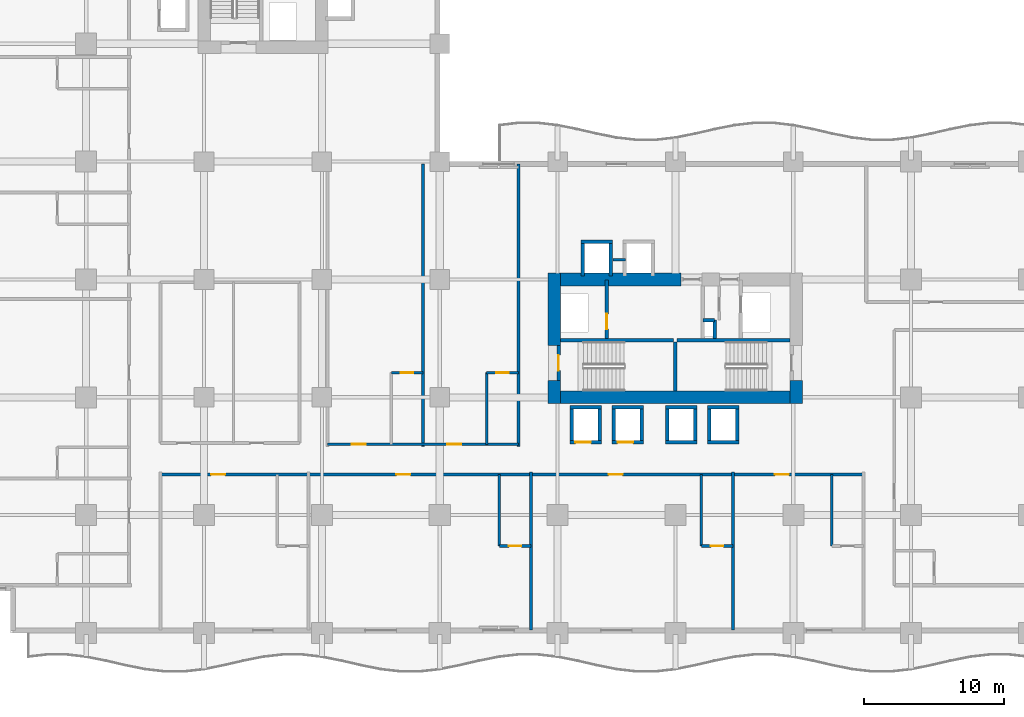
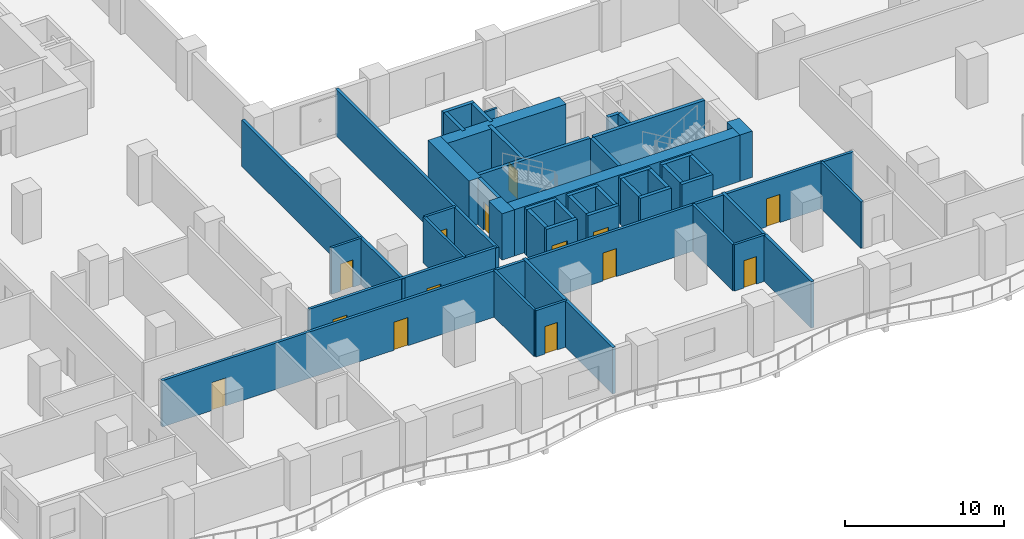
# One storey, part 6 of 20: 46 walls, 14 doors, 14 openings.
"""IFC4 building model written with IfcOpenShell, lengths in metres."""

from ifc_helpers import new_model, si_unit, direction, frame, frame_2d, origin, place, context, subcontext, project, spatial, rectangle, extrude, material, layer, layer_set, type_object, element, fill, save


model = new_model("IFC4")

# Units and contexts
model_context = context("Model", 3, precision=1e-05, world=origin(), true_north=direction((0.0, 1.0)))
body_context = subcontext(model_context, "Body", "Model", "MODEL_VIEW")
ifc_project = project(units=[si_unit("LENGTHUNIT", "METRE"), si_unit("AREAUNIT", "SQUARE_METRE"), si_unit("VOLUMEUNIT", "CUBIC_METRE"), si_unit("PLANEANGLEUNIT", "RADIAN"), si_unit("MASSUNIT", "GRAM", prefix="KILO")], contexts=[model_context])

# Site, building, storey
site_placement = place(None, origin())
site = spatial("IfcSite", under=ifc_project, at=site_placement, CompositionType="ELEMENT")
building_placement = place(site_placement, origin())
building = spatial("IfcBuilding", under=site, at=building_placement, Name="Koriwani Terraces Tower", CompositionType="ELEMENT")
storey_placement = place(building_placement, frame((0.0, 0.0, 66.199951171875)))
storey = spatial("IfcBuildingStorey", under=building, at=storey_placement, Name="L15", CompositionType="ELEMENT", Elevation=66.199951171875)

# Walls
ifc_material_1 = material(Name="Concrete C60/75", Category="concrete")
ifc_layer_1 = layer(ifc_material_1, 0.89990234375, Name="Concrete C60/75")
ifc_layer_set_1 = layer_set([ifc_layer_1], Name="Concrete C60/75")
wall_type_1 = type_object("IfcWallType", Name="WALL_CORE_RC_900", PredefinedType="SHEAR", material=ifc_layer_set_1)
wall_1_placement = place(storey_placement, frame((41.75, 16.35009765625, 0.0), z_axis=(0.0, 0.0, 1.0), x_axis=(0.0, 1.0, 0.0)))
element("IfcWall", 1, at=wall_1_placement, inside=storey, type_object=wall_type_1, Name="L15 East Split Core Shear Wall W1", PredefinedType="SHEAR", context=body_context, shape_type="SweptSolid", body=[
    extrude(rectangle(XDim=1.64990234375, YDim=0.89990234375, at=frame_2d((0.824951171875, 0.0))), origin(), (0.0, 0.0, 1.0), 3.550048828125),
])
wall_2_placement = place(storey_placement, frame((41.75, 20.5, 0.0), z_axis=(0.0, 0.0, 1.0), x_axis=(0.0, 1.0, 0.0)))
element("IfcWall", 2, at=wall_2_placement, inside=storey, type_object=wall_type_1, Name="L15 East Split Core Shear Wall W2", PredefinedType="SHEAR", context=body_context, shape_type="SweptSolid", body=[
    extrude(rectangle(XDim=5.14990234375, YDim=0.89990234375, at=frame_2d((2.574951171875, 0.0))), origin(), (0.0, 0.0, 1.0), 3.550048828125),
])
wall_3_placement = place(storey_placement, frame((59.0, 16.35009765625, 0.0), z_axis=(0.0, 0.0, 1.0), x_axis=(0.0, 1.0, 0.0)))
element("IfcWall", 3, at=wall_3_placement, inside=storey, type_object=wall_type_1, Name="L15 East Split Core Shear Wall E1", PredefinedType="SHEAR", context=body_context, shape_type="SweptSolid", body=[
    extrude(rectangle(XDim=1.64990234375, YDim=0.89990234375, at=frame_2d((0.824951171875, 0.0))), origin(), (0.0, 0.0, 1.0), 3.550048828125),
])
wall_4_placement = place(storey_placement, frame((42.199951171875, 16.800048828125, 0.0), z_axis=(0.0, 0.0, 1.0), x_axis=(1.0, 0.0, 0.0)))
element("IfcWall", 4, at=wall_4_placement, inside=storey, type_object=wall_type_1, Name="L15 East Split Core Shear Wall S1", PredefinedType="SHEAR", context=body_context, shape_type="SweptSolid", body=[
    extrude(rectangle(XDim=16.35009765625, YDim=0.89990234375, at=frame_2d((8.175048828125, 0.0))), origin(), (0.0, 0.0, 1.0), 3.550048828125),
])
wall_5_placement = place(storey_placement, frame((42.199951171875, 25.199951171875, 0.0), z_axis=(0.0, 0.0, 1.0), x_axis=(1.0, 0.0, 0.0)))
element("IfcWall", 5, at=wall_5_placement, inside=storey, type_object=wall_type_1, Name="L15 East Split Core Shear Wall N1", PredefinedType="SHEAR", context=body_context, shape_type="SweptSolid", body=[
    extrude(rectangle(XDim=8.60009765625, YDim=0.89990234375, at=frame_2d((4.300048828125, 0.0))), origin(), (0.0, 0.0, 1.0), 3.550048828125),
])

# Wall, openings, doors
ifc_material_2 = material(Name="Autoclaved Cellular Concrete Blockwork", Category="masonry")
ifc_layer_2 = layer(ifc_material_2, 0.199951171875, Name="Autoclaved Cellular Concrete Blockwork")
ifc_layer_set_2 = layer_set([ifc_layer_2], Name="Autoclaved Cellular Concrete Blockwork")
wall_type_2 = type_object("IfcWallType", Name="WALL_CORRIDOR_200", PredefinedType="PARTITIONING", material=ifc_layer_set_2)
wall_6_placement = place(storey_placement, frame((25.60009765625, 13.449951171875, 0.0), z_axis=(0.0, 0.0, 1.0), x_axis=(1.0, 0.0, 0.0)))
wall_6 = element("IfcWall", 6, at=wall_6_placement, inside=storey, type_object=wall_type_2, Name="L15 Interior Wall WCOR-L15-SWI-0", PredefinedType="PARTITIONING", context=body_context, shape_type="SweptSolid", body=[
    extrude(rectangle(XDim=13.599853515625, YDim=0.199951171875, at=frame_2d((6.7998046875, 0.0))), origin(), (0.0, 0.0, 1.0), 3.550048828125),
])
opening_1_placement = place(wall_6_placement, frame((1.735107421875, 0.0, 0.0)))
opening_1 = element("IfcOpeningElement", 7, at=opening_1_placement, cuts=wall_6, Name="Opening D-05", PredefinedType="OPENING", context=body_context, shape_type="SweptSolid", body=[
    extrude(rectangle(XDim=1.0, YDim=2.14990234375, at=frame_2d((0.5, 1.074951171875))), frame((0.0, 0.10986328125, 0.0), z_axis=(0.0, -1.0, 0.0), x_axis=(1.0, 0.0, 0.0)), (0.0, 0.0, 1.0), 0.219970703125),
])
opening_2_placement = place(wall_6_placement, frame((8.534912109375, 0.0, 0.0)))
opening_2 = element("IfcOpeningElement", 8, at=opening_2_placement, cuts=wall_6, Name="Opening D-05", PredefinedType="OPENING", context=body_context, shape_type="SweptSolid", body=[
    extrude(rectangle(XDim=1.0, YDim=2.14990234375, at=frame_2d((0.5, 1.074951171875))), frame((0.0, 0.10986328125, 0.0), z_axis=(0.0, -1.0, 0.0), x_axis=(1.0, 0.0, 0.0)), (0.0, 0.0, 1.0), 0.219970703125),
])
ifc_material_3 = material(Name="Architectural Oak Fire Door", Category="wood")
door_type_1 = type_object("IfcDoorType", Name="DOOR_SUITE_ENTRY_1000X2150", OperationType="NOTDEFINED", PredefinedType="DOOR", material=ifc_material_3)
door_1_placement = place(opening_1_placement, origin())
door_1 = element("IfcDoor", 9, at=door_1_placement, inside=storey, type_object=door_type_1, Name="Luxury Hotel Suite 15SWI1 Entrance Door", OperationType="SINGLE_SWING_LEFT", OverallHeight=2.14990234375, OverallWidth=1.0, PredefinedType="DOOR", context=body_context, shape_type="SweptSolid", body=[
    extrude(rectangle(XDim=1.0, YDim=2.14990234375, at=frame_2d((0.5, 1.074951171875))), frame((0.0, 0.02490234375, 0.0), z_axis=(0.0, -1.0, 0.0), x_axis=(1.0, 0.0, 0.0)), (0.0, 0.0, 1.0), 0.050048828125),
])
fill(opening_1, door_1)
door_2_placement = place(opening_2_placement, origin())
door_2 = element("IfcDoor", 10, at=door_2_placement, inside=storey, type_object=door_type_1, Name="Luxury Hotel Suite 15SWI2 Entrance Door", OperationType="SINGLE_SWING_LEFT", OverallHeight=2.14990234375, OverallWidth=1.0, PredefinedType="DOOR", context=body_context, shape_type="SweptSolid", body=[
    extrude(rectangle(XDim=1.0, YDim=2.14990234375, at=frame_2d((0.5, 1.074951171875))), frame((0.0, 0.02490234375, 0.0), z_axis=(0.0, -1.0, 0.0), x_axis=(1.0, 0.0, 0.0)), (0.0, 0.0, 1.0), 0.050048828125),
])
fill(opening_2, door_2)

wall_7_placement = place(storey_placement, frame((13.699951171875, 11.300048828125, 0.0), z_axis=(0.0, 0.0, 1.0), x_axis=(1.0, 0.0, 0.0)))
wall_7 = element("IfcWall", 11, at=wall_7_placement, inside=storey, type_object=wall_type_2, Name="L15 Interior Wall WCOR-L15-SW-0", PredefinedType="PARTITIONING", context=body_context, shape_type="SweptSolid", body=[
    extrude(rectangle(XDim=50.10009765625, YDim=0.199951171875, at=frame_2d((25.050048828125, 0.0))), origin(), (0.0, 0.0, 1.0), 3.550048828125),
])
opening_3_placement = place(wall_7_placement, frame((3.610107421875, 0.0, 0.0)))
opening_3 = element("IfcOpeningElement", 12, at=opening_3_placement, cuts=wall_7, Name="Opening D-05", PredefinedType="OPENING", context=body_context, shape_type="SweptSolid", body=[
    extrude(rectangle(XDim=1.0, YDim=2.14990234375, at=frame_2d((0.5, 1.074951171875))), frame((0.0, 0.10986328125, 0.0), z_axis=(0.0, -1.0, 0.0), x_axis=(1.0, 0.0, 0.0)), (0.0, 0.0, 1.0), 0.219970703125),
])
opening_4_placement = place(wall_7_placement, frame((16.81005859375, 0.0, 0.0)))
opening_4 = element("IfcOpeningElement", 13, at=opening_4_placement, cuts=wall_7, Name="Opening D-05", PredefinedType="OPENING", context=body_context, shape_type="SweptSolid", body=[
    extrude(rectangle(XDim=1.0, YDim=2.14990234375, at=frame_2d((0.5, 1.074951171875))), frame((0.0, 0.10986328125, 0.0), z_axis=(0.0, -1.0, 0.0), x_axis=(1.0, 0.0, 0.0)), (0.0, 0.0, 1.0), 0.219970703125),
])
opening_5_placement = place(wall_7_placement, frame((31.93505859375, 0.0, 0.0)))
opening_5 = element("IfcOpeningElement", 14, at=opening_5_placement, cuts=wall_7, Name="Opening D-05", PredefinedType="OPENING", context=body_context, shape_type="SweptSolid", body=[
    extrude(rectangle(XDim=1.0, YDim=2.14990234375, at=frame_2d((0.5, 1.074951171875))), frame((0.0, 0.10986328125, 0.0), z_axis=(0.0, -1.0, 0.0), x_axis=(1.0, 0.0, 0.0)), (0.0, 0.0, 1.0), 0.219970703125),
])
opening_6_placement = place(wall_7_placement, frame((43.784912109375, 0.0, 0.0)))
opening_6 = element("IfcOpeningElement", 15, at=opening_6_placement, cuts=wall_7, Name="Opening D-05", PredefinedType="OPENING", context=body_context, shape_type="SweptSolid", body=[
    extrude(rectangle(XDim=1.0, YDim=2.14990234375, at=frame_2d((0.5, 1.074951171875))), frame((0.0, 0.10986328125, 0.0), z_axis=(0.0, -1.0, 0.0), x_axis=(1.0, 0.0, 0.0)), (0.0, 0.0, 1.0), 0.219970703125),
])
door_3_placement = place(opening_3_placement, origin())
door_3 = element("IfcDoor", 16, at=door_3_placement, inside=storey, type_object=door_type_1, Name="Luxury Hotel Suite 15SW1 Entrance Door", OperationType="SINGLE_SWING_LEFT", OverallHeight=2.14990234375, OverallWidth=1.0, PredefinedType="DOOR", context=body_context, shape_type="SweptSolid", body=[
    extrude(rectangle(XDim=1.0, YDim=2.14990234375, at=frame_2d((0.5, 1.074951171875))), frame((0.0, 0.02490234375, 0.0), z_axis=(0.0, -1.0, 0.0), x_axis=(1.0, 0.0, 0.0)), (0.0, 0.0, 1.0), 0.050048828125),
])
fill(opening_3, door_3)
door_4_placement = place(opening_4_placement, origin())
door_4 = element("IfcDoor", 17, at=door_4_placement, inside=storey, type_object=door_type_1, Name="Luxury Hotel Suite 15SW2 Entrance Door", OperationType="SINGLE_SWING_LEFT", OverallHeight=2.14990234375, OverallWidth=1.0, PredefinedType="DOOR", context=body_context, shape_type="SweptSolid", body=[
    extrude(rectangle(XDim=1.0, YDim=2.14990234375, at=frame_2d((0.5, 1.074951171875))), frame((0.0, 0.02490234375, 0.0), z_axis=(0.0, -1.0, 0.0), x_axis=(1.0, 0.0, 0.0)), (0.0, 0.0, 1.0), 0.050048828125),
])
fill(opening_4, door_4)
door_5_placement = place(opening_5_placement, origin())
door_5 = element("IfcDoor", 18, at=door_5_placement, inside=storey, type_object=door_type_1, Name="Luxury Hotel Suite 15SW3 Entrance Door", OperationType="SINGLE_SWING_LEFT", OverallHeight=2.14990234375, OverallWidth=1.0, PredefinedType="DOOR", context=body_context, shape_type="SweptSolid", body=[
    extrude(rectangle(XDim=1.0, YDim=2.14990234375, at=frame_2d((0.5, 1.074951171875))), frame((0.0, 0.02490234375, 0.0), z_axis=(0.0, -1.0, 0.0), x_axis=(1.0, 0.0, 0.0)), (0.0, 0.0, 1.0), 0.050048828125),
])
fill(opening_5, door_5)
door_6_placement = place(opening_6_placement, origin())
door_6 = element("IfcDoor", 19, at=door_6_placement, inside=storey, type_object=door_type_1, Name="Luxury Hotel Suite 15SW4 Entrance Door", OperationType="SINGLE_SWING_LEFT", OverallHeight=2.14990234375, OverallWidth=1.0, PredefinedType="DOOR", context=body_context, shape_type="SweptSolid", body=[
    extrude(rectangle(XDim=1.0, YDim=2.14990234375, at=frame_2d((0.5, 1.074951171875))), frame((0.0, 0.02490234375, 0.0), z_axis=(0.0, -1.0, 0.0), x_axis=(1.0, 0.0, 0.0)), (0.0, 0.0, 1.0), 0.050048828125),
])
fill(opening_6, door_6)

# Walls
ifc_layer_3 = layer(ifc_material_2, 0.219970703125, Name="Autoclaved Cellular Concrete Blockwork")
ifc_layer_set_3 = layer_set([ifc_layer_3], Name="Autoclaved Cellular Concrete Blockwork")
wall_type_3 = type_object("IfcWallType", Name="WALL_DEMISING_220", PredefinedType="PARTITIONING", material=ifc_layer_set_3)
for number, where, z_axis, x_axis, name in (
    (20, (32.39990234375, 13.300048828125, 0.0), (0.0, 0.0, 1.0), (0.0, 1.0, 0.0), "L15 Interior Wall WDEM-L15-SWI-1"),
    (21, (39.199951171875, 13.300048828125, 0.0), (0.0, 0.0, 1.0), (0.0, 1.0, 0.0), "L15 Interior Wall WDEME-L15-SWI"),
):
    element("IfcWall", number, at=place(storey_placement, frame(where, z_axis=z_axis, x_axis=x_axis)), inside=storey, type_object=wall_type_3, Name=name, PredefinedType="PARTITIONING", context=body_context, shape_type="SweptSolid", body=[
        extrude(rectangle(XDim=20.1298828125, YDim=0.219970703125, at=frame_2d((10.06494140625, 0.0))), origin(), (0.0, 0.0, 1.0), 3.550048828125),
    ])
for number, where, z_axis, x_axis, name in (
    (22, (40.10009765625, 0.199951171875, 0.0), (0.0, 0.0, 1.0), (0.0, 1.0, 0.0), "L15 Interior Wall WDEM-L15-SW-2"),
    (23, (54.5, 0.199951171875, 0.0), (0.0, 0.0, 1.0), (0.0, 1.0, 0.0), "L15 Interior Wall WDEM-L15-SW-3"),
):
    element("IfcWall", number, at=place(storey_placement, frame(where, z_axis=z_axis, x_axis=x_axis)), inside=storey, type_object=wall_type_3, Name=name, PredefinedType="PARTITIONING", context=body_context, shape_type="SweptSolid", body=[
        extrude(rectangle(XDim=11.280029296875, YDim=0.219970703125, at=frame_2d((5.64013671875, 0.0))), origin(), (0.0, 0.0, 1.0), 3.550048828125),
    ])

# Wall, opening, door
ifc_material_4 = material(Name="Fire-Rated Acoustic Gypsum Partition", Category="masonry")
ifc_layer_4 = layer(ifc_material_4, 0.179931640625, Name="Fire-Rated Acoustic Gypsum Partition")
ifc_layer_set_4 = layer_set([ifc_layer_4], Name="Fire-Rated Acoustic Gypsum Partition")
wall_type_4 = type_object("IfcWallType", Name="WALL_PLUMBING_180", PredefinedType="PLUMBINGWALL", material=ifc_layer_set_4)
wall_8_placement = place(storey_placement, frame((30.14990234375, 18.550048828125, 0.0), z_axis=(0.0, 0.0, 1.0), x_axis=(1.0, 0.0, 0.0)))
wall_8 = element("IfcWall", 24, at=wall_8_placement, inside=storey, type_object=wall_type_4, Name="L15 Interior Wall WBTH1-L15-SWI-0", PredefinedType="PLUMBINGWALL", context=body_context, shape_type="SweptSolid", body=[
    extrude(rectangle(XDim=2.25, YDim=0.179931640625, at=frame_2d((1.125, 0.0))), origin(), (0.0, 0.0, 1.0), 3.550048828125),
])
opening_7_placement = place(wall_8_placement, frame((0.675048828125, 0.0, 0.0)))
opening_7 = element("IfcOpeningElement", 25, at=opening_7_placement, cuts=wall_8, Name="Opening D-07", PredefinedType="OPENING", context=body_context, shape_type="SweptSolid", body=[
    extrude(rectangle(XDim=0.89990234375, YDim=2.10009765625, at=frame_2d((0.449951171875, 1.050048828125))), frame((0.0, 0.10009765625, 0.0), z_axis=(0.0, -1.0, 0.0), x_axis=(1.0, 0.0, 0.0)), (0.0, 0.0, 1.0), 0.199951171875),
])
door_type_2 = type_object("IfcDoorType", Name="DOOR_BATH_INT_900X2100", OperationType="NOTDEFINED", PredefinedType="DOOR", material=ifc_material_3)
door_7_placement = place(opening_7_placement, origin())
door_7 = element("IfcDoor", 26, at=door_7_placement, inside=storey, type_object=door_type_2, Name="En-Suite Bathroom 15SWI1 Door", OperationType="SINGLE_SWING_RIGHT", OverallHeight=2.10009765625, OverallWidth=0.89990234375, PredefinedType="DOOR", context=body_context, shape_type="SweptSolid", body=[
    extrude(rectangle(XDim=0.89990234375, YDim=2.10009765625, at=frame_2d((0.449951171875, 1.050048828125))), frame((0.0, 0.02490234375, 0.0), z_axis=(0.0, -1.0, 0.0), x_axis=(1.0, 0.0, 0.0)), (0.0, 0.0, 1.0), 0.050048828125),
])
fill(opening_7, door_7)

wall_9_placement = place(storey_placement, frame((36.949951171875, 18.550048828125, 0.0), z_axis=(0.0, 0.0, 1.0), x_axis=(1.0, 0.0, 0.0)))
wall_9 = element("IfcWall", 27, at=wall_9_placement, inside=storey, type_object=wall_type_4, Name="L15 Interior Wall WBTH1-L15-SWI-1", PredefinedType="PLUMBINGWALL", context=body_context, shape_type="SweptSolid", body=[
    extrude(rectangle(XDim=2.25, YDim=0.179931640625, at=frame_2d((1.125, 0.0))), origin(), (0.0, 0.0, 1.0), 3.550048828125),
])
opening_8_placement = place(wall_9_placement, frame((0.675048828125, 0.0, 0.0)))
opening_8 = element("IfcOpeningElement", 28, at=opening_8_placement, cuts=wall_9, Name="Opening D-07", PredefinedType="OPENING", context=body_context, shape_type="SweptSolid", body=[
    extrude(rectangle(XDim=0.89990234375, YDim=2.10009765625, at=frame_2d((0.449951171875, 1.050048828125))), frame((0.0, 0.10009765625, 0.0), z_axis=(0.0, -1.0, 0.0), x_axis=(1.0, 0.0, 0.0)), (0.0, 0.0, 1.0), 0.199951171875),
])
door_8_placement = place(opening_8_placement, origin())
door_8 = element("IfcDoor", 29, at=door_8_placement, inside=storey, type_object=door_type_2, Name="En-Suite Bathroom 15SWI2 Door", OperationType="SINGLE_SWING_RIGHT", OverallHeight=2.10009765625, OverallWidth=0.89990234375, PredefinedType="DOOR", context=body_context, shape_type="SweptSolid", body=[
    extrude(rectangle(XDim=0.89990234375, YDim=2.10009765625, at=frame_2d((0.449951171875, 1.050048828125))), frame((0.0, 0.02490234375, 0.0), z_axis=(0.0, -1.0, 0.0), x_axis=(1.0, 0.0, 0.0)), (0.0, 0.0, 1.0), 0.050048828125),
])
fill(opening_8, door_8)

# Wall
wall_10_placement = place(storey_placement, frame((36.949951171875, 13.449951171875, 0.0), z_axis=(0.0, 0.0, 1.0), x_axis=(0.0, 1.0, 0.0)))
element("IfcWall", 30, at=wall_10_placement, inside=storey, type_object=wall_type_4, Name="L15 Interior Wall WBTH2-L15-SWI-1", PredefinedType="PLUMBINGWALL", context=body_context, shape_type="SweptSolid", body=[
    extrude(rectangle(XDim=5.10009765625, YDim=0.179931640625, at=frame_2d((2.550048828125, 0.0))), origin(), (0.0, 0.0, 1.0), 3.550048828125),
])

# Wall, opening, door
wall_11_placement = place(storey_placement, frame((37.85009765625, 6.199951171875, 0.0), z_axis=(0.0, 0.0, 1.0), x_axis=(1.0, 0.0, 0.0)))
wall_11 = element("IfcWall", 31, at=wall_11_placement, inside=storey, type_object=wall_type_4, Name="L15 Interior Wall WBTH1-L15-SW-1", PredefinedType="PLUMBINGWALL", context=body_context, shape_type="SweptSolid", body=[
    extrude(rectangle(XDim=2.25, YDim=0.179931640625, at=frame_2d((1.125, 0.0))), origin(), (0.0, 0.0, 1.0), 3.550048828125),
])
opening_9_placement = place(wall_11_placement, frame((0.675048828125, 0.0, 0.0)))
opening_9 = element("IfcOpeningElement", 32, at=opening_9_placement, cuts=wall_11, Name="Opening D-07", PredefinedType="OPENING", context=body_context, shape_type="SweptSolid", body=[
    extrude(rectangle(XDim=0.89990234375, YDim=2.10009765625, at=frame_2d((0.449951171875, 1.050048828125))), frame((0.0, 0.10009765625, 0.0), z_axis=(0.0, -1.0, 0.0), x_axis=(1.0, 0.0, 0.0)), (0.0, 0.0, 1.0), 0.199951171875),
])
door_9_placement = place(opening_9_placement, origin())
door_9 = element("IfcDoor", 33, at=door_9_placement, inside=storey, type_object=door_type_2, Name="En-Suite Bathroom 15SW2 Door", OperationType="SINGLE_SWING_RIGHT", OverallHeight=2.10009765625, OverallWidth=0.89990234375, PredefinedType="DOOR", context=body_context, shape_type="SweptSolid", body=[
    extrude(rectangle(XDim=0.89990234375, YDim=2.10009765625, at=frame_2d((0.449951171875, 1.050048828125))), frame((0.0, 0.02490234375, 0.0), z_axis=(0.0, -1.0, 0.0), x_axis=(1.0, 0.0, 0.0)), (0.0, 0.0, 1.0), 0.050048828125),
])
fill(opening_9, door_9)

# Wall
wall_12_placement = place(storey_placement, frame((37.85009765625, 6.199951171875, 0.0), z_axis=(0.0, 0.0, 1.0), x_axis=(0.0, 1.0, 0.0)))
element("IfcWall", 34, at=wall_12_placement, inside=storey, type_object=wall_type_4, Name="L15 Interior Wall WBTH2-L15-SW-1", PredefinedType="PLUMBINGWALL", context=body_context, shape_type="SweptSolid", body=[
    extrude(rectangle(XDim=5.10009765625, YDim=0.179931640625, at=frame_2d((2.550048828125, 0.0))), origin(), (0.0, 0.0, 1.0), 3.550048828125),
])

# Wall, opening, door
wall_13_placement = place(storey_placement, frame((52.25, 6.199951171875, 0.0), z_axis=(0.0, 0.0, 1.0), x_axis=(1.0, 0.0, 0.0)))
wall_13 = element("IfcWall", 35, at=wall_13_placement, inside=storey, type_object=wall_type_4, Name="L15 Interior Wall WBTH1-L15-SW-2", PredefinedType="PLUMBINGWALL", context=body_context, shape_type="SweptSolid", body=[
    extrude(rectangle(XDim=2.25, YDim=0.179931640625, at=frame_2d((1.125, 0.0))), origin(), (0.0, 0.0, 1.0), 3.550048828125),
])
opening_10_placement = place(wall_13_placement, frame((0.675048828125, 0.0, 0.0)))
opening_10 = element("IfcOpeningElement", 36, at=opening_10_placement, cuts=wall_13, Name="Opening D-07", PredefinedType="OPENING", context=body_context, shape_type="SweptSolid", body=[
    extrude(rectangle(XDim=0.89990234375, YDim=2.10009765625, at=frame_2d((0.449951171875, 1.050048828125))), frame((0.0, 0.10009765625, 0.0), z_axis=(0.0, -1.0, 0.0), x_axis=(1.0, 0.0, 0.0)), (0.0, 0.0, 1.0), 0.199951171875),
])
door_10_placement = place(opening_10_placement, origin())
door_10 = element("IfcDoor", 37, at=door_10_placement, inside=storey, type_object=door_type_2, Name="En-Suite Bathroom 15SW3 Door", OperationType="SINGLE_SWING_RIGHT", OverallHeight=2.10009765625, OverallWidth=0.89990234375, PredefinedType="DOOR", context=body_context, shape_type="SweptSolid", body=[
    extrude(rectangle(XDim=0.89990234375, YDim=2.10009765625, at=frame_2d((0.449951171875, 1.050048828125))), frame((0.0, 0.02490234375, 0.0), z_axis=(0.0, -1.0, 0.0), x_axis=(1.0, 0.0, 0.0)), (0.0, 0.0, 1.0), 0.050048828125),
])
fill(opening_10, door_10)

# Walls
for number, where, z_axis, x_axis, name in (
    (38, (52.25, 6.199951171875, 0.0), (0.0, 0.0, 1.0), (0.0, 1.0, 0.0), "L15 Interior Wall WBTH2-L15-SW-2"),
    (39, (61.550048828125, 6.199951171875, 0.0), (0.0, 0.0, 1.0), (0.0, 1.0, 0.0), "L15 Interior Wall WBTH2-L15-SW-3"),
):
    element("IfcWall", number, at=place(storey_placement, frame(where, z_axis=z_axis, x_axis=x_axis)), inside=storey, type_object=wall_type_4, Name=name, PredefinedType="PLUMBINGWALL", context=body_context, shape_type="SweptSolid", body=[
        extrude(rectangle(XDim=5.10009765625, YDim=0.179931640625, at=frame_2d((2.550048828125, 0.0))), origin(), (0.0, 0.0, 1.0), 3.550048828125),
    ])
ifc_material_5 = material(Name="Concrete C40/50", Category="concrete")
ifc_layer_5 = layer(ifc_material_5, 0.25, Name="Concrete C40/50")
ifc_layer_set_5 = layer_set([ifc_layer_5], Name="Concrete C40/50")
wall_type_5 = type_object("IfcWallType", Name="WALL_SHAFT_RATED_250", PredefinedType="SOLIDWALL", material=ifc_layer_set_5)
for number, where, z_axis, x_axis, name in (
    (40, (42.199951171875, 20.875, 0.0), (0.0, 0.0, 1.0), (1.0, 0.0, 0.0), "L15 East Split Core Web Wall MID1"),
    (41, (50.5, 20.875, 0.0), (0.0, 0.0, 1.0), (1.0, 0.0, 0.0), "L15 East Split Core Web Wall MID2"),
):
    element("IfcWall", number, at=place(storey_placement, frame(where, z_axis=z_axis, x_axis=x_axis)), inside=storey, type_object=wall_type_5, Name=name, PredefinedType="SOLIDWALL", context=body_context, shape_type="SweptSolid", body=[
        extrude(rectangle(XDim=8.050048828125, YDim=0.25, at=frame_2d((4.02490234375, 0.0))), origin(), (0.0, 0.0, 1.0), 3.550048828125),
    ])
wall_14_placement = place(storey_placement, frame((50.375, 17.25, 0.0), z_axis=(0.0, 0.0, 1.0), x_axis=(0.0, 1.0, 0.0)))
element("IfcWall", 42, at=wall_14_placement, inside=storey, type_object=wall_type_5, Name="L15 East Split Core Stair Dividing Wall", PredefinedType="SOLIDWALL", context=body_context, shape_type="SweptSolid", body=[
    extrude(rectangle(XDim=3.5, YDim=0.25, at=frame_2d((1.75, 0.0))), origin(), (0.0, 0.0, 1.0), 3.550048828125),
])

# Wall, opening, door
wall_15_placement = place(storey_placement, frame((42.074951171875, 18.0, 0.0), z_axis=(0.0, 0.0, 1.0), x_axis=(0.0, 1.0, 0.0)))
wall_15 = element("IfcWall", 43, at=wall_15_placement, inside=storey, type_object=wall_type_5, Name="L15 Interior Wall WIN-CE-L15-STW", PredefinedType="SOLIDWALL", context=body_context, shape_type="SweptSolid", body=[
    extrude(rectangle(XDim=2.5, YDim=0.25, at=frame_2d((1.25, 0.0))), origin(), (0.0, 0.0, 1.0), 3.550048828125),
])
opening_11_placement = place(wall_15_placement, frame((0.699951171875, 0.0, 0.0)))
opening_11 = element("IfcOpeningElement", 44, at=opening_11_placement, cuts=wall_15, Name="Opening D-03", PredefinedType="OPENING", context=body_context, shape_type="SweptSolid", body=[
    extrude(rectangle(XDim=1.10009765625, YDim=2.14990234375, at=frame_2d((0.550048828125, 1.074951171875))), frame((0.0, 0.135009765625, 0.0), z_axis=(0.0, -1.0, 0.0), x_axis=(1.0, 0.0, 0.0)), (0.0, 0.0, 1.0), 0.27001953125),
])
ifc_material_6 = material(Name="Steel ASTM A572 Grade 50", Category="steel")
door_type_3 = type_object("IfcDoorType", Name="DOOR_STAIR_FIRE_1100X2150", OperationType="NOTDEFINED", PredefinedType="DOOR", material=ifc_material_6)
door_11_placement = place(opening_11_placement, origin())
door_11 = element("IfcDoor", 45, at=door_11_placement, inside=storey, type_object=door_type_3, Name="L15 Exit Stair ST-E1 Door", OperationType="SINGLE_SWING_RIGHT", OverallHeight=2.14990234375, OverallWidth=1.10009765625, PredefinedType="DOOR", context=body_context, shape_type="SweptSolid", body=[
    extrude(rectangle(XDim=1.10009765625, YDim=2.14990234375, at=frame_2d((0.550048828125, 1.074951171875))), frame((0.0, 0.02490234375, 0.0), z_axis=(0.0, -1.0, 0.0), x_axis=(1.0, 0.0, 0.0)), (0.0, 0.0, 1.0), 0.050048828125),
])
fill(opening_11, door_11)

wall_16_placement = place(storey_placement, frame((45.5, 21.0, 0.0), z_axis=(0.0, 0.0, 1.0), x_axis=(0.0, 1.0, 0.0)))
wall_16 = element("IfcWall", 46, at=wall_16_placement, inside=storey, type_object=wall_type_5, Name="L15 Interior Wall WIN-CE-L15-FE", PredefinedType="SOLIDWALL", context=body_context, shape_type="SweptSolid", body=[
    extrude(rectangle(XDim=4.14990234375, YDim=0.25, at=frame_2d((2.074951171875, 0.0))), origin(), (0.0, 0.0, 1.0), 3.550048828125),
])
opening_12_placement = place(wall_16_placement, frame((0.64990234375, 0.0, 0.0)))
opening_12 = element("IfcOpeningElement", 47, at=opening_12_placement, cuts=wall_16, Name="Opening LD-01", PredefinedType="OPENING", context=body_context, shape_type="SweptSolid", body=[
    extrude(rectangle(XDim=1.10009765625, YDim=2.14990234375, at=frame_2d((0.550048828125, 1.074951171875))), frame((0.0, 0.135009765625, 0.0), z_axis=(0.0, -1.0, 0.0), x_axis=(1.0, 0.0, 0.0)), (0.0, 0.0, 1.0), 0.27001953125),
])
door_type_4 = type_object("IfcDoorType", Name="DOOR_LIFT_LANDING_1100X2200", OperationType="NOTDEFINED", PredefinedType="DOOR", material=ifc_material_6)
door_12_placement = place(opening_12_placement, origin())
door_12 = element("IfcDoor", 48, at=door_12_placement, inside=storey, type_object=door_type_4, Name="L15 Firefighting Lift FE-02 Landing Door", OperationType="SLIDING_TO_LEFT", OverallHeight=2.14990234375, OverallWidth=1.10009765625, PredefinedType="DOOR", context=body_context, shape_type="SweptSolid", body=[
    extrude(rectangle(XDim=1.10009765625, YDim=2.14990234375, at=frame_2d((0.550048828125, 1.074951171875))), frame((0.0, 0.02490234375, 0.0), z_axis=(0.0, -1.0, 0.0), x_axis=(1.0, 0.0, 0.0)), (0.0, 0.0, 1.0), 0.050048828125),
])
fill(opening_12, door_12)

# Walls
wall_17_placement = place(storey_placement, frame((53.199951171875, 21.0, 0.0), z_axis=(0.0, 0.0, 1.0), x_axis=(0.0, 1.0, 0.0)))
element("IfcWall", 49, at=wall_17_placement, inside=storey, type_object=wall_type_5, Name="L15 Interior Wall WIN-CE-L15-RS1", PredefinedType="SOLIDWALL", context=body_context, shape_type="SweptSolid", body=[
    extrude(rectangle(XDim=1.300048828125, YDim=0.25, at=frame_2d((0.64990234375, 0.0))), origin(), (0.0, 0.0, 1.0), 3.550048828125),
])
wall_18_placement = place(storey_placement, frame((52.360107421875, 22.300048828125, 0.0), z_axis=(0.0, 0.0, 1.0), x_axis=(1.0, 0.0, 0.0)))
element("IfcWall", 50, at=wall_18_placement, inside=storey, type_object=wall_type_5, Name="L15 Interior Wall WIN-CE-L15-RS2", PredefinedType="SOLIDWALL", context=body_context, shape_type="SweptSolid", body=[
    extrude(rectangle(XDim=0.83984375, YDim=0.25, at=frame_2d((0.419921875, 0.0))), origin(), (0.0, 0.0, 1.0), 3.550048828125),
])

# Wall, opening, door
wall_19_placement = place(storey_placement, frame((42.875, 13.60009765625, 0.0), z_axis=(0.0, 0.0, 1.0), x_axis=(1.0, 0.0, 0.0)))
wall_19 = element("IfcWall", 51, at=wall_19_placement, inside=storey, type_object=wall_type_5, Name="L15 Interior Wall WIN-LF-PE-L3-L15-F", PredefinedType="SOLIDWALL", context=body_context, shape_type="SweptSolid", body=[
    extrude(rectangle(XDim=2.25, YDim=0.25, at=frame_2d((1.125, 0.0))), origin(), (0.0, 0.0, 1.0), 3.550048828125),
])
opening_13_placement = place(wall_19_placement, frame((0.39990234375, 0.0, 0.0)))
opening_13 = element("IfcOpeningElement", 52, at=opening_13_placement, cuts=wall_19, Name="Opening LD-01", PredefinedType="OPENING", context=body_context, shape_type="SweptSolid", body=[
    extrude(rectangle(XDim=1.10009765625, YDim=2.14990234375, at=frame_2d((0.550048828125, 1.074951171875))), frame((0.0, 0.135009765625, 0.0), z_axis=(0.0, -1.0, 0.0), x_axis=(1.0, 0.0, 0.0)), (0.0, 0.0, 1.0), 0.27001953125),
])
door_13_placement = place(opening_13_placement, origin())
door_13 = element("IfcDoor", 53, at=door_13_placement, inside=storey, type_object=door_type_4, Name="L15 Passenger Lift PE-L3 Landing Door", OperationType="SLIDING_TO_LEFT", OverallHeight=2.14990234375, OverallWidth=1.10009765625, PredefinedType="DOOR", context=body_context, shape_type="SweptSolid", body=[
    extrude(rectangle(XDim=1.10009765625, YDim=2.14990234375, at=frame_2d((0.550048828125, 1.074951171875))), frame((0.0, 0.02490234375, 0.0), z_axis=(0.0, -1.0, 0.0), x_axis=(1.0, 0.0, 0.0)), (0.0, 0.0, 1.0), 0.050048828125),
])
fill(opening_13, door_13)

# Walls
for number, where, z_axis, x_axis, name in (
    (54, (42.875, 16.10009765625, 0.0), (0.0, 0.0, 1.0), (1.0, 0.0, 0.0), "L15 Interior Wall WIN-LF-PE-L3-L15-B"),
    (55, (43.0, 13.72509765625, 0.0), (0.0, 0.0, 1.0), (0.0, 1.0, 0.0), "L15 Interior Wall WIN-LF-PE-L3-L15-W"),
    (56, (45.0, 13.72509765625, 0.0), (0.0, 0.0, 1.0), (0.0, 1.0, 0.0), "L15 Interior Wall WIN-LF-PE-L3-L15-E"),
):
    element("IfcWall", number, at=place(storey_placement, frame(where, z_axis=z_axis, x_axis=x_axis)), inside=storey, type_object=wall_type_5, Name=name, PredefinedType="SOLIDWALL", context=body_context, shape_type="SweptSolid", body=[
        extrude(rectangle(XDim=2.25, YDim=0.25, at=frame_2d((1.125, 0.0))), origin(), (0.0, 0.0, 1.0), 3.550048828125),
    ])

# Wall, opening, door
wall_20_placement = place(storey_placement, frame((45.875, 13.60009765625, 0.0), z_axis=(0.0, 0.0, 1.0), x_axis=(1.0, 0.0, 0.0)))
wall_20 = element("IfcWall", 57, at=wall_20_placement, inside=storey, type_object=wall_type_5, Name="L15 Interior Wall WIN-LF-PE-L4-L15-F", PredefinedType="SOLIDWALL", context=body_context, shape_type="SweptSolid", body=[
    extrude(rectangle(XDim=2.25, YDim=0.25, at=frame_2d((1.125, 0.0))), origin(), (0.0, 0.0, 1.0), 3.550048828125),
])
opening_14_placement = place(wall_20_placement, frame((0.39990234375, 0.0, 0.0)))
opening_14 = element("IfcOpeningElement", 58, at=opening_14_placement, cuts=wall_20, Name="Opening LD-01", PredefinedType="OPENING", context=body_context, shape_type="SweptSolid", body=[
    extrude(rectangle(XDim=1.10009765625, YDim=2.14990234375, at=frame_2d((0.550048828125, 1.074951171875))), frame((0.0, 0.135009765625, 0.0), z_axis=(0.0, -1.0, 0.0), x_axis=(1.0, 0.0, 0.0)), (0.0, 0.0, 1.0), 0.27001953125),
])
door_14_placement = place(opening_14_placement, origin())
door_14 = element("IfcDoor", 59, at=door_14_placement, inside=storey, type_object=door_type_4, Name="L15 Passenger Lift PE-L4 Landing Door", OperationType="SLIDING_TO_LEFT", OverallHeight=2.14990234375, OverallWidth=1.10009765625, PredefinedType="DOOR", context=body_context, shape_type="SweptSolid", body=[
    extrude(rectangle(XDim=1.10009765625, YDim=2.14990234375, at=frame_2d((0.550048828125, 1.074951171875))), frame((0.0, 0.02490234375, 0.0), z_axis=(0.0, -1.0, 0.0), x_axis=(1.0, 0.0, 0.0)), (0.0, 0.0, 1.0), 0.050048828125),
])
fill(opening_14, door_14)

# Walls
for number, where, z_axis, x_axis, name in (
    (60, (45.875, 16.10009765625, 0.0), (0.0, 0.0, 1.0), (1.0, 0.0, 0.0), "L15 Interior Wall WIN-LF-PE-L4-L15-B"),
    (61, (46.0, 13.72509765625, 0.0), (0.0, 0.0, 1.0), (0.0, 1.0, 0.0), "L15 Interior Wall WIN-LF-PE-L4-L15-W"),
    (62, (48.0, 13.72509765625, 0.0), (0.0, 0.0, 1.0), (0.0, 1.0, 0.0), "L15 Interior Wall WIN-LF-PE-L4-L15-E"),
    (63, (49.675048828125, 13.60009765625, 0.0), (0.0, 0.0, 1.0), (1.0, 0.0, 0.0), "L15 Interior Wall WIN-LF-PE-M3-L15-F"),
    (64, (49.675048828125, 16.10009765625, 0.0), (0.0, 0.0, 1.0), (1.0, 0.0, 0.0), "L15 Interior Wall WIN-LF-PE-M3-L15-B"),
    (65, (49.800048828125, 13.72509765625, 0.0), (0.0, 0.0, 1.0), (0.0, 1.0, 0.0), "L15 Interior Wall WIN-LF-PE-M3-L15-W"),
    (66, (51.800048828125, 13.72509765625, 0.0), (0.0, 0.0, 1.0), (0.0, 1.0, 0.0), "L15 Interior Wall WIN-LF-PE-M3-L15-E"),
    (67, (52.675048828125, 13.60009765625, 0.0), (0.0, 0.0, 1.0), (1.0, 0.0, 0.0), "L15 Interior Wall WIN-LF-PE-M4-L15-F"),
    (68, (52.675048828125, 16.10009765625, 0.0), (0.0, 0.0, 1.0), (1.0, 0.0, 0.0), "L15 Interior Wall WIN-LF-PE-M4-L15-B"),
    (69, (52.800048828125, 13.72509765625, 0.0), (0.0, 0.0, 1.0), (0.0, 1.0, 0.0), "L15 Interior Wall WIN-LF-PE-M4-L15-W"),
    (70, (54.800048828125, 13.72509765625, 0.0), (0.0, 0.0, 1.0), (0.0, 1.0, 0.0), "L15 Interior Wall WIN-LF-PE-M4-L15-E"),
    (71, (43.675048828125, 27.89990234375, 0.0), (0.0, 0.0, 1.0), (1.0, 0.0, 0.0), "L15 Interior Wall WIN-LF-PE-H3-L15-F"),
):
    element("IfcWall", number, at=place(storey_placement, frame(where, z_axis=z_axis, x_axis=x_axis)), inside=storey, type_object=wall_type_5, Name=name, PredefinedType="SOLIDWALL", context=body_context, shape_type="SweptSolid", body=[
        extrude(rectangle(XDim=2.25, YDim=0.25, at=frame_2d((1.125, 0.0))), origin(), (0.0, 0.0, 1.0), 3.550048828125),
    ])
for number, where, z_axis, x_axis, name in (
    (72, (43.800048828125, 25.449951171875, 0.0), (0.0, 0.0, 1.0), (0.0, 1.0, 0.0), "L15 Interior Wall WIN-LF-PE-H3-L15-W"),
    (73, (45.800048828125, 25.449951171875, 0.0), (0.0, 0.0, 1.0), (0.0, 1.0, 0.0), "L15 Interior Wall WIN-LF-PE-H3-L15-E"),
):
    element("IfcWall", number, at=place(storey_placement, frame(where, z_axis=z_axis, x_axis=x_axis)), inside=storey, type_object=wall_type_5, Name=name, PredefinedType="SOLIDWALL", context=body_context, shape_type="SweptSolid", body=[
        extrude(rectangle(XDim=2.324951171875, YDim=0.25, at=frame_2d((1.16259765625, 0.0))), origin(), (0.0, 0.0, 1.0), 3.550048828125),
    ])
ifc_layer_6 = layer(ifc_material_4, 0.159912109375, Name="Fire-Rated Acoustic Gypsum Partition")
ifc_layer_set_6 = layer_set([ifc_layer_6], Name="Fire-Rated Acoustic Gypsum Partition")
wall_type_6 = type_object("IfcWallType", Name="WALL_SUITE_160", PredefinedType="PARTITIONING", material=ifc_layer_set_6)
wall_21_placement = place(storey_placement, frame((45.9599609375, 26.60009765625, 0.0), z_axis=(0.0, 0.0, 1.0), x_axis=(1.0, 0.0, 0.0)))
element("IfcWall", 74, at=wall_21_placement, inside=storey, type_object=wall_type_6, Name="L15 Interior Wall WIN-LF-PEH34-MID-L15", PredefinedType="PARTITIONING", context=body_context, shape_type="SweptSolid", body=[
    extrude(rectangle(XDim=0.880126953125, YDim=0.159912109375, at=frame_2d((0.43994140625, 0.0))), origin(), (0.0, 0.0, 1.0), 3.550048828125),
])

save(model, "model.ifc")
